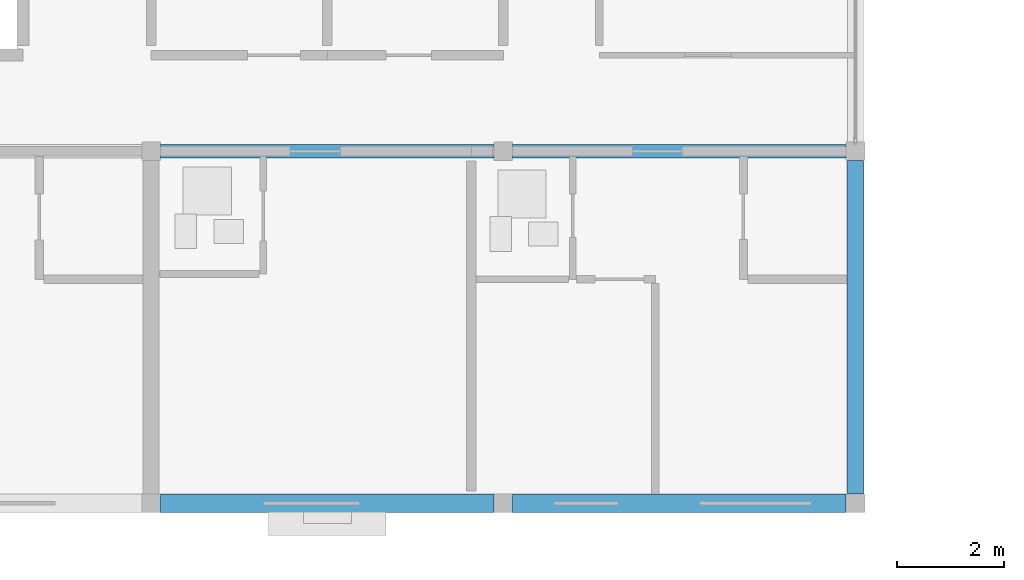
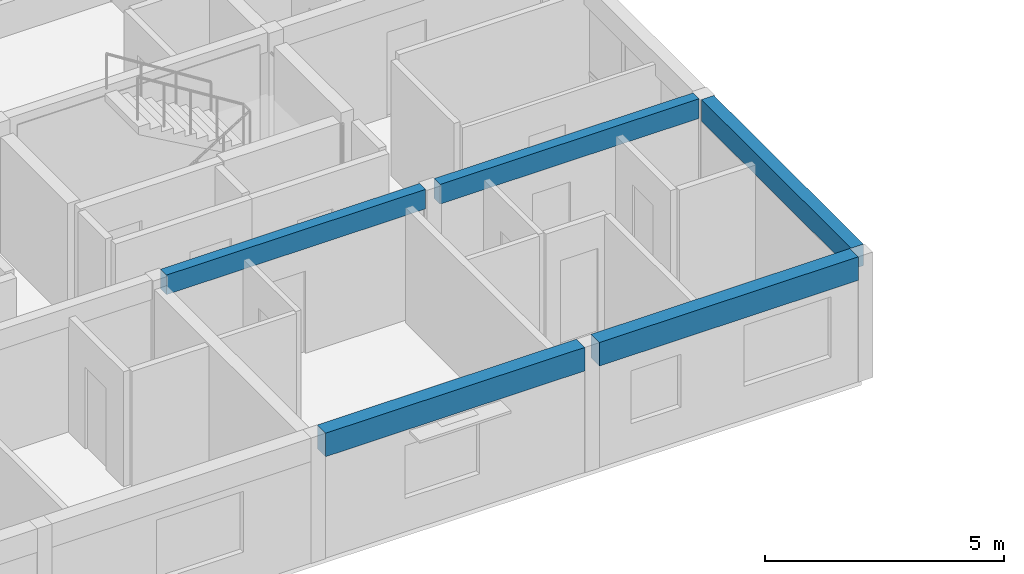
# One storey, part 7 of 53: 5 beams.
"""IFC4 building model written with IfcOpenShell, lengths in metres."""

from ifc_helpers import new_model, si_unit, direction, frame, origin, origin_2d, place, context, subcontext, project, spatial, rectangle, extrude, material, material_profile, profile_set, type_object, element, save


model = new_model("IFC4")

# Units and contexts
model_context = context("Model", 3, precision=1e-05, world=origin(), true_north=direction((0.0, 1.0)))
body_context = subcontext(model_context, "Body", "Model", "MODEL_VIEW")
ifc_project = project(units=[si_unit("LENGTHUNIT", "METRE"), si_unit("AREAUNIT", "SQUARE_METRE"), si_unit("VOLUMEUNIT", "CUBIC_METRE"), si_unit("PLANEANGLEUNIT", "RADIAN"), si_unit("MASSUNIT", "GRAM", prefix="KILO")], contexts=[model_context])

# Site, building, storey
site_placement = place(None, origin())
site = spatial("IfcSite", under=ifc_project, at=site_placement, CompositionType="ELEMENT")
building_placement = place(site_placement, origin())
building = spatial("IfcBuilding", under=site, at=building_placement, Name="Kernevlak Ridge Housing Community", CompositionType="ELEMENT")
storey_placement = place(building_placement, frame((0.0, 0.0, 24.39990234375)))
storey = spatial("IfcBuildingStorey", under=building, at=storey_placement, Name="L07", CompositionType="ELEMENT", Elevation=24.39990234375)

# Beams
ifc_material = material(Name="Concrete C35/45", Category="concrete")
ifc_material_profile_1 = material_profile(ifc_material, rectangle(XDim=0.25, YDim=0.5, at=origin_2d()), Name="RC 250x500")
ifc_profile_set_1 = profile_set([ifc_material_profile_1], Name="Concrete C35/45")
beam_type_1 = type_object("IfcBeamType", Name="B-06", PredefinedType="T_BEAM", material=ifc_profile_set_1)
for number, where, z_axis, x_axis, name in (
    (1, (28.97509765625, 22.199951171875, 2.9501953125), (1.0, 0.0, 0.0), (0.0, 1.0, 0.0), "Beam B-06 L07 1482"),
    (2, (35.574951171875, 22.199951171875, 2.9501953125), (1.0, 0.0, 0.0), (0.0, 1.0, 0.0), "Beam B-06 L07 1483"),
):
    element("IfcBeam", number, at=place(storey_placement, frame(where, z_axis=z_axis, x_axis=x_axis)), inside=storey, type_object=beam_type_1, Name=name, PredefinedType="T_BEAM", context=body_context, shape_type="SweptSolid", body=[
        extrude(rectangle(XDim=0.25, YDim=0.5, at=origin_2d()), origin(), (0.0, 0.0, 1.0), 6.25),
    ])
ifc_material_profile_2 = material_profile(ifc_material, rectangle(XDim=0.300048828125, YDim=0.550048828125, at=origin_2d()), Name="RC 300x550")
ifc_profile_set_2 = profile_set([ifc_material_profile_2], Name="Concrete C35/45")
beam_type_2 = type_object("IfcBeamType", Name="SP-01", PredefinedType="SPANDREL", material=ifc_profile_set_2)
beam_placement = place(storey_placement, frame((42.0, 15.77490234375, 2.925048828125), z_axis=(0.0, 1.0, 0.0), x_axis=(-1.0, 0.0, 0.0)))
element("IfcBeam", 3, at=beam_placement, inside=storey, type_object=beam_type_2, Name="Beam SP-01 L07 1495", PredefinedType="SPANDREL", context=body_context, shape_type="SweptSolid", body=[
    extrude(rectangle(XDim=0.300048828125, YDim=0.550048828125, at=origin_2d()), origin(), (0.0, 0.0, 1.0), 6.25),
])
ifc_material_profile_3 = material_profile(ifc_material, rectangle(XDim=0.35009765625, YDim=0.60009765625, at=origin_2d()), Name="RC 350x600")
ifc_profile_set_3 = profile_set([ifc_material_profile_3], Name="Concrete C35/45")
beam_type_3 = type_object("IfcBeamType", Name="SP-03", PredefinedType="SPANDREL", material=ifc_profile_set_3)
for number, where, z_axis, x_axis, name in (
    (4, (28.97509765625, 15.60009765625, 2.900146484375), (1.0, 0.0, 0.0), (0.0, 1.0, 0.0), "Beam SP-03 L07 1478"),
    (5, (35.574951171875, 15.60009765625, 2.900146484375), (1.0, 0.0, 0.0), (0.0, 1.0, 0.0), "Beam SP-03 L07 1479"),
):
    element("IfcBeam", number, at=place(storey_placement, frame(where, z_axis=z_axis, x_axis=x_axis)), inside=storey, type_object=beam_type_3, Name=name, PredefinedType="SPANDREL", context=body_context, shape_type="SweptSolid", body=[
        extrude(rectangle(XDim=0.35009765625, YDim=0.60009765625, at=origin_2d()), origin(), (0.0, 0.0, 1.0), 6.25),
    ])

save(model, "model.ifc")
